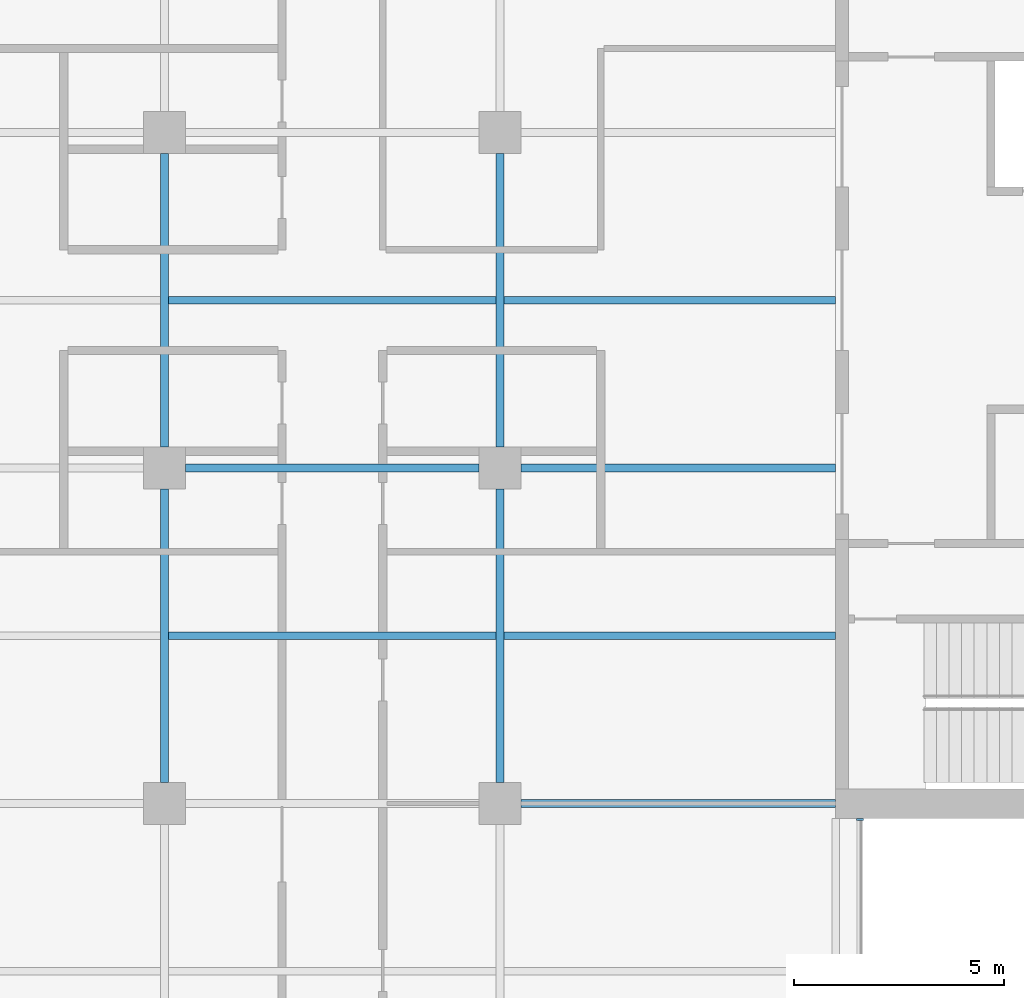
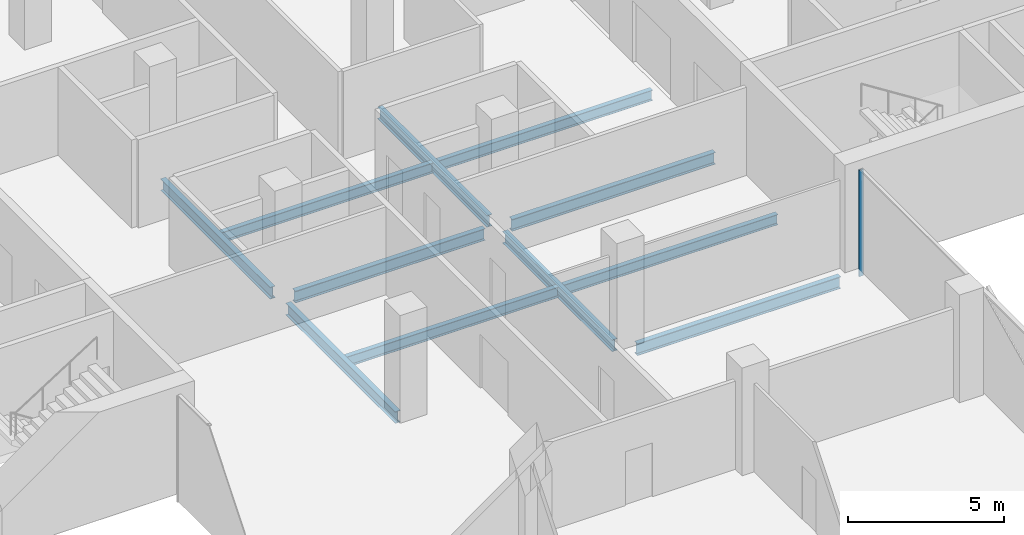
# One storey, part 6 of 22: 11 beams, 1 member, 1 element without a shape of its own.
"""IFC4 building model written with IfcOpenShell, lengths in metres."""

from ifc_helpers import new_model, si_unit, direction, frame, origin, origin_2d, place, context, subcontext, project, spatial, rectangle, i_section, extrude, material, material_profile, profile_set, type_object, element, aggregate, save


model = new_model("IFC4")

# Units and contexts
model_context = context("Model", 3, precision=1e-05, world=origin(), true_north=direction((0.0, 1.0)))
body_context = subcontext(model_context, "Body", "Model", "MODEL_VIEW")
ifc_project = project(units=[si_unit("LENGTHUNIT", "METRE"), si_unit("AREAUNIT", "SQUARE_METRE"), si_unit("VOLUMEUNIT", "CUBIC_METRE"), si_unit("PLANEANGLEUNIT", "RADIAN"), si_unit("MASSUNIT", "GRAM", prefix="KILO")], contexts=[model_context])

# Site, building, storey
site_placement = place(None, origin())
site = spatial("IfcSite", under=ifc_project, at=site_placement, CompositionType="ELEMENT")
building_placement = place(site_placement, origin())
building = spatial("IfcBuilding", under=site, at=building_placement, Name="Crosswind Convention Tower", CompositionType="ELEMENT")
storey_placement = place(building_placement, frame((0.0, 0.0, 116.89990234375)))
storey = spatial("IfcBuildingStorey", under=building, at=storey_placement, Name="L23", CompositionType="ELEMENT", Elevation=116.89990234375)

# Beams
ifc_material_1 = material(Name="Steel S355", Category="steel")
ifc_material_profile_1 = material_profile(ifc_material_1, i_section(OverallWidth=0.19140625, OverallDepth=0.460205078125, WebThickness=0.010009765625, FlangeThickness=0.01611328125, FilletRadius=0.01025390625, at=origin_2d()), Name="UB 457x191x82")
ifc_profile_set_1 = profile_set([ifc_material_profile_1], Name="Steel S355")
beam_type_1 = type_object("IfcBeamType", Name="Girder UB 457x191x82", PredefinedType="BEAM", material=ifc_profile_set_1)
for number, where, z_axis, x_axis, name in (
    (1, (121.0, 88.5, -0.530029296875), (0.0, 1.0, 0.0), (-1.0, 0.0, 0.0), "B3 L23 girder 5"),
    (2, (121.0, 96.5, -0.530029296875), (0.0, 1.0, 0.0), (-1.0, 0.0, 0.0), "B3 L23 girder 6"),
    (3, (121.5, 96.0, -0.530029296875), (1.0, 0.0, 0.0), (0.0, 1.0, 0.0), "B3 L23 girder 12"),
    (4, (129.0, 88.5, -0.530029296875), (0.0, 1.0, 0.0), (-1.0, 0.0, 0.0), "B3 L23 girder 18"),
    (5, (129.0, 96.5, -0.530029296875), (0.0, 1.0, 0.0), (-1.0, 0.0, 0.0), "B3 L23 girder 19"),
):
    element("IfcBeam", number, at=place(storey_placement, frame(where, z_axis=z_axis, x_axis=x_axis)), inside=storey, type_object=beam_type_1, Name=name, PredefinedType="BEAM", context=body_context, shape_type="SweptSolid", body=[
        extrude(i_section(OverallWidth=0.19140625, OverallDepth=0.460205078125, WebThickness=0.010009765625, FlangeThickness=0.01611328125, FilletRadius=0.01025390625, at=origin_2d()), origin(), (0.0, 0.0, 1.0), 7.0),
    ])
ifc_material_profile_2 = material_profile(ifc_material_1, i_section(OverallWidth=0.19189453125, OverallDepth=0.463623046875, WebThickness=0.010498046875, FlangeThickness=0.017578125, FilletRadius=0.01025390625, at=origin_2d()), Name="UB 457x191x90")
ifc_profile_set_2 = profile_set([ifc_material_profile_2], Name="Steel S355")
beam_type_2 = type_object("IfcBeamType", Name="Girder at core wall UB 457x191x90", PredefinedType="BEAM", material=ifc_profile_set_2)
for number, where, z_axis, x_axis, name in (
    (6, (129.5, 88.0, -0.53173828125), (1.0, 0.0, 0.0), (0.0, 1.0, 0.0), "B24 L23 girder at core wall 7"),
    (7, (129.5, 96.0, -0.53173828125), (1.0, 0.0, 0.0), (0.0, 1.0, 0.0), "B24 L23 girder at core wall 8"),
):
    element("IfcBeam", number, at=place(storey_placement, frame(where, z_axis=z_axis, x_axis=x_axis)), inside=storey, type_object=beam_type_2, Name=name, PredefinedType="BEAM", context=body_context, shape_type="SweptSolid", body=[
        extrude(i_section(OverallWidth=0.19189453125, OverallDepth=0.463623046875, WebThickness=0.010498046875, FlangeThickness=0.017578125, FilletRadius=0.01025390625, at=origin_2d()), origin(), (0.0, 0.0, 1.0), 7.5),
    ])

# Curtain wall, member
ifc_material_2 = material(Name="Aluminium unitised curtain wall", Category="aluminium")
curtain_wall_type = type_object("IfcCurtainWallType", Name="CORE END SLOT WALL 160", PredefinedType="USERDEFINED", material=ifc_material_2)
curtain_wall_placement = place(storey_placement, origin())
curtain_wall = element("IfcCurtainWall", 8, at=curtain_wall_placement, inside=storey, type_object=curtain_wall_type, Name="CW6 L23 S-E.1-2 slot", ObjectType="UNITISED", PredefinedType="USERDEFINED")
ifc_material_3 = material(Name="Aluminium mullion", Category="aluminium")
ifc_material_profile_3 = material_profile(ifc_material_3, rectangle(XDim=0.159912109375, YDim=0.050048828125, at=origin_2d()), Name="AL 160X50")
ifc_profile_set_3 = profile_set([ifc_material_profile_3], Name="Aluminium mullion")
member_type = type_object("IfcMemberType", Name="MULLION 50X160", PredefinedType="MULLION", material=ifc_profile_set_3)
member_placement = place(storey_placement, frame((137.580078125, 87.625, -0.2998046875), z_axis=(0.0, 0.0, 1.0), x_axis=(1.0, 0.0, 0.0)))
member = element("IfcMember", 9, at=member_placement, type_object=member_type, Name="CW6 mullion 2", PredefinedType="MULLION", context=body_context, shape_type="SweptSolid", body=[
    extrude(rectangle(XDim=0.159912109375, YDim=0.050048828125, at=origin_2d()), origin(), (0.0, 0.0, 1.0), 4.14990234375),
])
aggregate(curtain_wall, [member])

# Beams
ifc_material_profile_4 = material_profile(ifc_material_1, i_section(OverallWidth=0.177734375, OverallDepth=0.406494140625, WebThickness=0.0078125, FlangeThickness=0.0126953125, FilletRadius=0.01025390625, at=origin_2d()), Name="UB 406x178x60")
ifc_profile_set_4 = profile_set([ifc_material_profile_4], Name="Steel S355")
beam_type_3 = type_object("IfcBeamType", Name="Secondary beam UB 406x178x60", PredefinedType="JOIST", material=ifc_profile_set_4)
for number, where, z_axis, x_axis, name in (
    (10, (121.095703125, 92.0, -0.503173828125), (1.0, 0.0, 0.0), (0.0, 1.0, 0.0), "B10 L23 secondary beam 13"),
    (11, (121.095703125, 100.0, -0.503173828125), (1.0, 0.0, 0.0), (0.0, 1.0, 0.0), "B10 L23 secondary beam 14"),
):
    element("IfcBeam", number, at=place(storey_placement, frame(where, z_axis=z_axis, x_axis=x_axis)), inside=storey, type_object=beam_type_3, Name=name, PredefinedType="JOIST", context=body_context, shape_type="SweptSolid", body=[
        extrude(i_section(OverallWidth=0.177734375, OverallDepth=0.406494140625, WebThickness=0.0078125, FlangeThickness=0.0126953125, FilletRadius=0.01025390625, at=origin_2d()), origin(), (0.0, 0.0, 1.0), 7.80859375),
    ])
for number, where, z_axis, x_axis, name in (
    (12, (129.095703125, 92.0, -0.503173828125), (1.0, 0.0, 0.0), (0.0, 1.0, 0.0), "B10 L23 secondary beam 20"),
    (13, (129.095703125, 100.0, -0.503173828125), (1.0, 0.0, 0.0), (0.0, 1.0, 0.0), "B10 L23 secondary beam 21"),
):
    element("IfcBeam", number, at=place(storey_placement, frame(where, z_axis=z_axis, x_axis=x_axis)), inside=storey, type_object=beam_type_3, Name=name, PredefinedType="JOIST", context=body_context, shape_type="SweptSolid", body=[
        extrude(i_section(OverallWidth=0.177734375, OverallDepth=0.406494140625, WebThickness=0.0078125, FlangeThickness=0.0126953125, FilletRadius=0.01025390625, at=origin_2d()), origin(), (0.0, 0.0, 1.0), 7.904296875),
    ])

save(model, "model.ifc")
